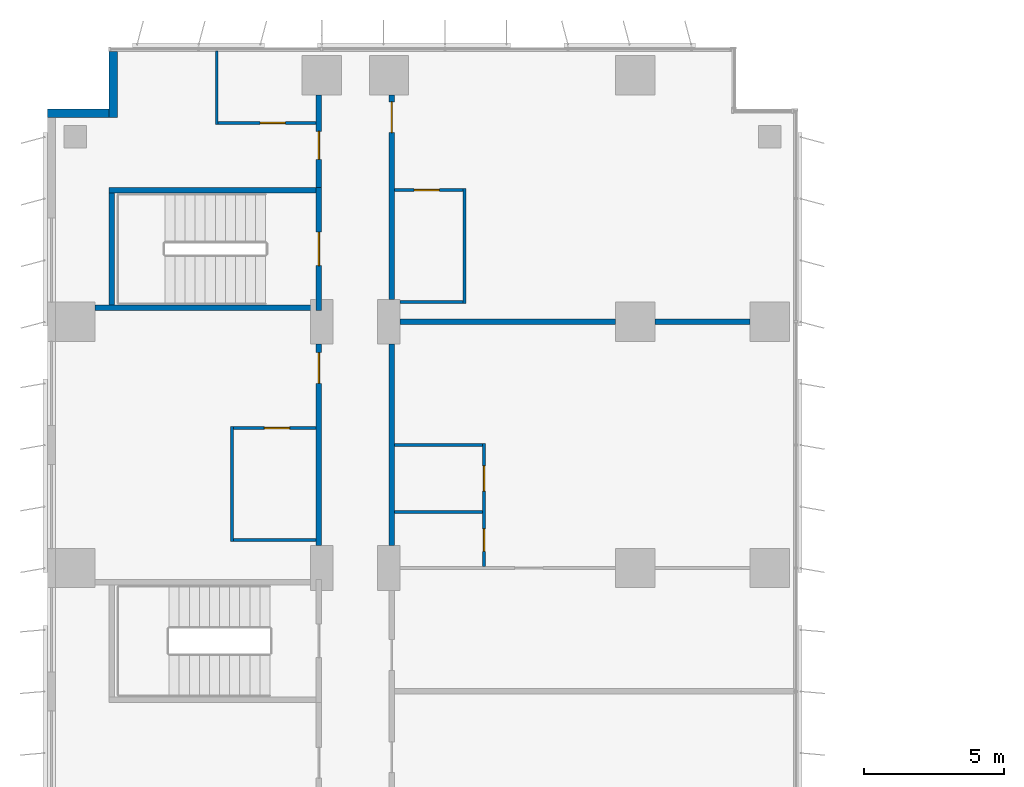
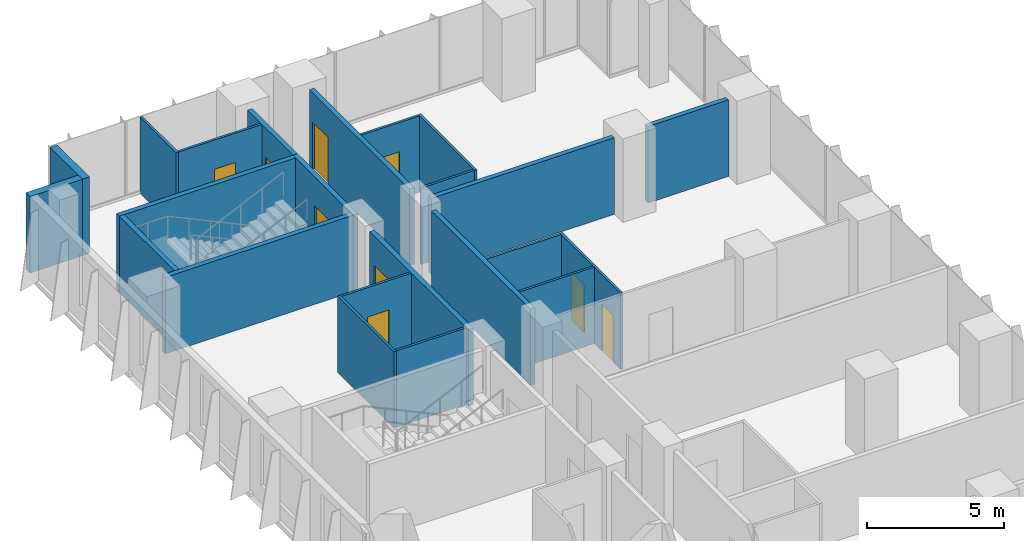
# One storey, part 19 of 24: 23 walls, 9 doors, 9 openings.
"""IFC4 building model written with IfcOpenShell, lengths in metres."""

from ifc_helpers import new_model, si_unit, direction, frame, frame_2d, origin, place, context, subcontext, project, spatial, rectangle, extrude, material, layer, layer_set, type_object, element, fill, save


model = new_model("IFC4")

# Units and contexts
model_context = context("Model", 3, precision=1e-05, world=origin(), true_north=direction((0.0, 1.0)))
body_context = subcontext(model_context, "Body", "Model", "MODEL_VIEW")
ifc_project = project(units=[si_unit("LENGTHUNIT", "METRE"), si_unit("AREAUNIT", "SQUARE_METRE"), si_unit("VOLUMEUNIT", "CUBIC_METRE"), si_unit("PLANEANGLEUNIT", "RADIAN"), si_unit("MASSUNIT", "GRAM", prefix="KILO")], contexts=[model_context])

# Site, building, storey
site_placement = place(None, origin())
site = spatial("IfcSite", under=ifc_project, at=site_placement, CompositionType="ELEMENT")
building_placement = place(site_placement, origin())
building = spatial("IfcBuilding", under=site, at=building_placement, Name="Kemantara Hotel Tower", CompositionType="ELEMENT")
storey_placement = place(building_placement, frame((0.0, 0.0, 41.39990234375)))
storey = spatial("IfcBuildingStorey", under=building, at=storey_placement, Name="L08", CompositionType="ELEMENT", Elevation=41.39990234375)

# Walls
ifc_material_1 = material(Name="Bronze anodised aluminium cladding on insulated steel stud wall", Category="steel")
ifc_layer_1 = layer(ifc_material_1, 0.300048828125)
ifc_layer_set_1 = layer_set([ifc_layer_1], Name="Bronze anodised aluminium cladding on insulated steel stud wall")
wall_type_1 = type_object("IfcWallType", Name="BRONZE METAL-CLAD EXTERNAL WALL 300", PredefinedType="STANDARD", material=ifc_layer_set_1)
wall_1_placement = place(storey_placement, frame((2.35009765625, 81.050048828125, 0.0), z_axis=(0.0, 0.0, 1.0), x_axis=(0.0, -1.0, 0.0)))
element("IfcWall", 1, at=wall_1_placement, inside=storey, type_object=wall_type_1, Name="EXTERNAL WALL L08 T1-R12", PredefinedType="STANDARD", context=body_context, shape_type="SweptSolid", body=[
    extrude(rectangle(XDim=2.35009765625, YDim=0.300048828125, at=frame_2d((1.175048828125, 0.0))), origin(), (0.0, 0.0, 1.0), 3.400146484375),
])
wall_2_placement = place(storey_placement, frame((2.199951171875, 78.85009765625, 0.0), z_axis=(0.0, 0.0, 1.0), x_axis=(-1.0, 0.0, 0.0)))
element("IfcWall", 2, at=wall_2_placement, inside=storey, type_object=wall_type_1, Name="EXTERNAL WALL L08 T1-R13", PredefinedType="STANDARD", context=body_context, shape_type="SweptSolid", body=[
    extrude(rectangle(XDim=2.199951171875, YDim=0.300048828125, at=frame_2d((1.10009765625, 0.0))), origin(), (0.0, 0.0, 1.0), 3.400146484375),
])

# Wall, opening, door
ifc_material_2 = material(Name="Gypsum board partition, steel studs and mineral wool, 200 mm", Category="steel")
ifc_layer_2 = layer(ifc_material_2, 0.199951171875)
ifc_layer_set_2 = layer_set([ifc_layer_2], Name="Gypsum board partition, steel studs and mineral wool, 200 mm")
wall_type_2 = type_object("IfcWallType", Name="CORRIDOR WALL 200", PredefinedType="PARTITIONING", material=ifc_layer_set_2)
wall_3_placement = place(storey_placement, frame((9.699951171875, 63.400146484375, 0.0), z_axis=(0.0, 0.0, 1.0), x_axis=(0.0, 1.0, 0.0)))
wall_3 = element("IfcWall", 3, at=wall_3_placement, inside=storey, type_object=wall_type_2, Name="CORRIDOR WALL 200 031", PredefinedType="PARTITIONING", context=body_context, shape_type="SweptSolid", body=[
    extrude(rectangle(XDim=7.19970703125, YDim=0.199951171875, at=frame_2d((3.599853515625, 0.0))), origin(), (0.0, 0.0, 1.0), 3.400146484375),
])
opening_1_placement = place(wall_3_placement, frame((5.7998046875, 0.0, 0.0)))
opening_1 = element("IfcOpeningElement", 4, at=opening_1_placement, cuts=wall_3, Name="Opening F02-041", PredefinedType="OPENING", context=body_context, shape_type="SweptSolid", body=[
    extrude(rectangle(XDim=1.10009765625, YDim=2.10009765625, at=frame_2d((0.550048828125, 1.050048828125))), frame((0.0, 0.10986328125, 0.0), z_axis=(0.0, -1.0, 0.0), x_axis=(1.0, 0.0, 0.0)), (0.0, 0.0, 1.0), 0.219970703125),
])
ifc_material_3 = material(Name="Hardwood veneer door leaf with steel frame", Category="steel")
door_type_1 = type_object("IfcDoorType", Name="SUITE ENTRANCE DOOR 1100 X 2100 FD30S", OperationType="NOTDEFINED", PredefinedType="DOOR", material=ifc_material_3)
door_1_placement = place(opening_1_placement, origin())
door_1 = element("IfcDoor", 5, at=door_1_placement, inside=storey, type_object=door_type_1, Name="SUITE ENTRANCE DOOR F02-041", OperationType="SINGLE_SWING_RIGHT", OverallHeight=2.10009765625, OverallWidth=1.10009765625, PredefinedType="DOOR", context=body_context, shape_type="SweptSolid", body=[
    extrude(rectangle(XDim=1.10009765625, YDim=2.10009765625, at=frame_2d((0.550048828125, 1.050048828125))), frame((0.0, 0.02490234375, 0.0), z_axis=(0.0, -1.0, 0.0), x_axis=(1.0, 0.0, 0.0)), (0.0, 0.0, 1.0), 0.050048828125),
])
fill(opening_1, door_1)

wall_4_placement = place(storey_placement, frame((9.699951171875, 76.199951171875, 0.0), z_axis=(0.0, 0.0, 1.0), x_axis=(0.0, 1.0, 0.0)))
wall_4 = element("IfcWall", 6, at=wall_4_placement, inside=storey, type_object=wall_type_2, Name="CORRIDOR WALL 200 032", PredefinedType="PARTITIONING", context=body_context, shape_type="SweptSolid", body=[
    extrude(rectangle(XDim=3.300048828125, YDim=0.199951171875, at=frame_2d((1.64990234375, 0.0))), origin(), (0.0, 0.0, 1.0), 3.400146484375),
])
opening_2_placement = place(wall_4_placement, frame((1.0, 0.0, 0.0)))
opening_2 = element("IfcOpeningElement", 7, at=opening_2_placement, cuts=wall_4, Name="Opening F02-043", PredefinedType="OPENING", context=body_context, shape_type="SweptSolid", body=[
    extrude(rectangle(XDim=1.0, YDim=2.10009765625, at=frame_2d((0.5, 1.050048828125))), frame((0.0, 0.10986328125, 0.0), z_axis=(0.0, -1.0, 0.0), x_axis=(1.0, 0.0, 0.0)), (0.0, 0.0, 1.0), 0.219970703125),
])
door_type_2 = type_object("IfcDoorType", Name="GUEST ROOM DOOR 1000 X 2100 FD30S", OperationType="NOTDEFINED", PredefinedType="DOOR", material=ifc_material_3)
door_2_placement = place(opening_2_placement, origin())
door_2 = element("IfcDoor", 8, at=door_2_placement, inside=storey, type_object=door_type_2, Name="GUEST ROOM DOOR F02-043", OperationType="SINGLE_SWING_LEFT", OverallHeight=2.10009765625, OverallWidth=1.0, PredefinedType="DOOR", context=body_context, shape_type="SweptSolid", body=[
    extrude(rectangle(XDim=1.0, YDim=2.10009765625, at=frame_2d((0.5, 1.050048828125))), frame((0.0, 0.02490234375, 0.0), z_axis=(0.0, -1.0, 0.0), x_axis=(1.0, 0.0, 0.0)), (0.0, 0.0, 1.0), 0.050048828125),
])
fill(opening_2, door_2)

# Wall
wall_5_placement = place(storey_placement, frame((12.300048828125, 63.400146484375, 0.0), z_axis=(0.0, 0.0, 1.0), x_axis=(0.0, 1.0, 0.0)))
element("IfcWall", 9, at=wall_5_placement, inside=storey, type_object=wall_type_2, Name="CORRIDOR WALL 200 048", PredefinedType="PARTITIONING", context=body_context, shape_type="SweptSolid", body=[
    extrude(rectangle(XDim=7.19970703125, YDim=0.199951171875, at=frame_2d((3.599853515625, 0.0))), origin(), (0.0, 0.0, 1.0), 3.400146484375),
])

# Wall, opening, door
wall_6_placement = place(storey_placement, frame((12.300048828125, 79.5, 0.0), z_axis=(0.0, 0.0, 1.0), x_axis=(0.0, -1.0, 0.0)))
wall_6 = element("IfcWall", 10, at=wall_6_placement, inside=storey, type_object=wall_type_2, Name="CORRIDOR WALL 200 049", PredefinedType="PARTITIONING", context=body_context, shape_type="SweptSolid", body=[
    extrude(rectangle(XDim=7.2998046875, YDim=0.199951171875, at=frame_2d((3.64990234375, 0.0))), origin(), (0.0, 0.0, 1.0), 3.400146484375),
])
opening_3_placement = place(wall_6_placement, frame((0.25, 0.0, 0.0)))
opening_3 = element("IfcOpeningElement", 11, at=opening_3_placement, cuts=wall_6, Name="Opening F02-059", PredefinedType="OPENING", context=body_context, shape_type="SweptSolid", body=[
    extrude(rectangle(XDim=1.10009765625, YDim=2.10009765625, at=frame_2d((0.550048828125, 1.050048828125))), frame((0.0, 0.10986328125, 0.0), z_axis=(0.0, -1.0, 0.0), x_axis=(1.0, 0.0, 0.0)), (0.0, 0.0, 1.0), 0.219970703125),
])
door_3_placement = place(opening_3_placement, origin())
door_3 = element("IfcDoor", 12, at=door_3_placement, inside=storey, type_object=door_type_1, Name="SUITE ENTRANCE DOOR F02-059", OperationType="SINGLE_SWING_LEFT", OverallHeight=2.10009765625, OverallWidth=1.10009765625, PredefinedType="DOOR", context=body_context, shape_type="SweptSolid", body=[
    extrude(rectangle(XDim=1.10009765625, YDim=2.10009765625, at=frame_2d((0.550048828125, 1.050048828125))), frame((0.0, 0.02490234375, 0.0), z_axis=(0.0, -1.0, 0.0), x_axis=(1.0, 0.0, 0.0)), (0.0, 0.0, 1.0), 0.050048828125),
])
fill(opening_3, door_3)

ifc_material_4 = material(Name="Concrete fc 40 MPa", Category="concrete")
ifc_layer_3 = layer(ifc_material_4, 0.199951171875)
ifc_layer_set_3 = layer_set([ifc_layer_3], Name="Concrete fc 40 MPa")
wall_type_3 = type_object("IfcWallType", Name="Concrete stair wall 200 mm", PredefinedType="SHEAR", material=ifc_layer_set_3)
wall_7_placement = place(storey_placement, frame((9.699951171875, 71.800048828125, 0.0), z_axis=(0.0, 0.0, 1.0), x_axis=(0.0, 1.0, 0.0)))
wall_7 = element("IfcWall", 13, at=wall_7_placement, inside=storey, type_object=wall_type_3, Name="Stair ST6 enclosure wall with door", PredefinedType="SHEAR", context=body_context, shape_type="SweptSolid", body=[
    extrude(rectangle(XDim=4.39990234375, YDim=0.199951171875, at=frame_2d((2.199951171875, 0.0))), origin(), (0.0, 0.0, 1.0), 3.400146484375),
])
opening_4_placement = place(wall_7_placement, frame((1.60009765625, 0.0, 0.0)))
opening_4 = element("IfcOpeningElement", 14, at=opening_4_placement, cuts=wall_7, Name="Opening ST6-C", PredefinedType="OPENING", context=body_context, shape_type="SweptSolid", body=[
    extrude(rectangle(XDim=1.199951171875, YDim=2.10009765625, at=frame_2d((0.60009765625, 1.050048828125))), frame((0.0, 0.10986328125, 0.0), z_axis=(0.0, -1.0, 0.0), x_axis=(1.0, 0.0, 0.0)), (0.0, 0.0, 1.0), 0.219970703125),
])
ifc_material_5 = material(Name="Steel fire door", Category="steel")
door_type_3 = type_object("IfcDoorType", Name="Fire door FD90 1200 x 2100", OperationType="NOTDEFINED", PredefinedType="DOOR", material=ifc_material_5)
door_4_placement = place(opening_4_placement, origin())
door_4 = element("IfcDoor", 15, at=door_4_placement, inside=storey, type_object=door_type_3, Name="Stair ST6 door", OperationType="SINGLE_SWING_RIGHT", OverallHeight=2.10009765625, OverallWidth=1.199951171875, PredefinedType="DOOR", context=body_context, shape_type="SweptSolid", body=[
    extrude(rectangle(XDim=1.199951171875, YDim=2.10009765625, at=frame_2d((0.60009765625, 1.050048828125))), frame((0.0, 0.02490234375, 0.0), z_axis=(0.0, -1.0, 0.0), x_axis=(1.0, 0.0, 0.0)), (0.0, 0.0, 1.0), 0.050048828125),
])
fill(opening_4, door_4)

# Walls
wall_8_placement = place(storey_placement, frame((2.199951171875, 76.10009765625, 0.0), z_axis=(0.0, 0.0, 1.0), x_axis=(1.0, 0.0, 0.0)))
element("IfcWall", 16, at=wall_8_placement, inside=storey, type_object=wall_type_3, Name="Stair ST6 enclosure wall N", PredefinedType="SHEAR", context=body_context, shape_type="SweptSolid", body=[
    extrude(rectangle(XDim=7.400146484375, YDim=0.199951171875, at=frame_2d((3.7001953125, 0.0))), origin(), (0.0, 0.0, 1.0), 3.400146484375),
])
wall_9_placement = place(storey_placement, frame((1.699951171875, 71.89990234375, 0.0), z_axis=(0.0, 0.0, 1.0), x_axis=(1.0, 0.0, 0.0)))
element("IfcWall", 17, at=wall_9_placement, inside=storey, type_object=wall_type_3, Name="Stair ST6 enclosure wall S", PredefinedType="SHEAR", context=body_context, shape_type="SweptSolid", body=[
    extrude(rectangle(XDim=7.900146484375, YDim=0.199951171875, at=frame_2d((3.9501953125, 0.0))), origin(), (0.0, 0.0, 1.0), 3.400146484375),
])
wall_10_placement = place(storey_placement, frame((2.300048828125, 72.0, 0.0), z_axis=(0.0, 0.0, 1.0), x_axis=(0.0, 1.0, 0.0)))
element("IfcWall", 18, at=wall_10_placement, inside=storey, type_object=wall_type_3, Name="Stair ST6 enclosure wall W", PredefinedType="SHEAR", context=body_context, shape_type="SweptSolid", body=[
    extrude(rectangle(XDim=4.0, YDim=0.199951171875, at=frame_2d((2.0, 0.0))), origin(), (0.0, 0.0, 1.0), 3.400146484375),
])
ifc_layer_4 = layer(ifc_material_2, 0.199951171875)
ifc_layer_set_4 = layer_set([ifc_layer_4], Name="Gypsum board partition, steel studs and mineral wool, 200 mm")
wall_type_4 = type_object("IfcWallType", Name="GUEST ROOM PARTY WALL 200", PredefinedType="PARTITIONING", material=ifc_layer_set_4)
wall_11_placement = place(storey_placement, frame((12.60009765625, 71.39990234375, 0.0), z_axis=(0.0, 0.0, 1.0), x_axis=(1.0, 0.0, 0.0)))
element("IfcWall", 19, at=wall_11_placement, inside=storey, type_object=wall_type_4, Name="GUEST ROOM PARTY WALL 200 054", PredefinedType="PARTITIONING", context=body_context, shape_type="SweptSolid", body=[
    extrude(rectangle(XDim=7.69970703125, YDim=0.199951171875, at=frame_2d((3.849853515625, 0.0))), origin(), (0.0, 0.0, 1.0), 3.400146484375),
])
wall_12_placement = place(storey_placement, frame((21.7001953125, 71.39990234375, 0.0), z_axis=(0.0, 0.0, 1.0), x_axis=(1.0, 0.0, 0.0)))
element("IfcWall", 20, at=wall_12_placement, inside=storey, type_object=wall_type_4, Name="GUEST ROOM PARTY WALL 200 055", PredefinedType="PARTITIONING", context=body_context, shape_type="SweptSolid", body=[
    extrude(rectangle(XDim=3.399658203125, YDim=0.199951171875, at=frame_2d((1.69970703125, 0.0))), origin(), (0.0, 0.0, 1.0), 3.400146484375),
])
ifc_material_6 = material(Name="Gypsum board partition on steel studs, 100 mm", Category="steel")
ifc_layer_5 = layer(ifc_material_6, 0.10009765625)
ifc_layer_set_5 = layer_set([ifc_layer_5], Name="Gypsum board partition on steel studs, 100 mm")
wall_type_5 = type_object("IfcWallType", Name="ROOM PARTITION 100", PredefinedType="PARTITIONING", material=ifc_layer_set_5)
wall_13_placement = place(storey_placement, frame((6.050048828125, 78.449951171875, 0.0), z_axis=(0.0, 0.0, 1.0), x_axis=(0.0, 1.0, 0.0)))
element("IfcWall", 21, at=wall_13_placement, inside=storey, type_object=wall_type_5, Name="ROOM PARTITION 100 087", PredefinedType="PARTITIONING", context=body_context, shape_type="SweptSolid", body=[
    extrude(rectangle(XDim=2.6201171875, YDim=0.10009765625, at=frame_2d((1.31005859375, 0.0))), origin(), (0.0, 0.0, 1.0), 3.400146484375),
])
wall_14_placement = place(storey_placement, frame((6.60009765625, 63.550048828125, 0.0), z_axis=(0.0, 0.0, 1.0), x_axis=(0.0, 1.0, 0.0)))
element("IfcWall", 22, at=wall_14_placement, inside=storey, type_object=wall_type_5, Name="ROOM PARTITION 100 095", PredefinedType="PARTITIONING", context=body_context, shape_type="SweptSolid", body=[
    extrude(rectangle(XDim=4.099853515625, YDim=0.10009765625, at=frame_2d((2.0498046875, 0.0))), origin(), (0.0, 0.0, 1.0), 3.400146484375),
])
wall_15_placement = place(storey_placement, frame((6.64990234375, 63.60009765625, 0.0), z_axis=(0.0, 0.0, 1.0), x_axis=(1.0, 0.0, 0.0)))
element("IfcWall", 23, at=wall_15_placement, inside=storey, type_object=wall_type_5, Name="ROOM PARTITION 100 106", PredefinedType="PARTITIONING", context=body_context, shape_type="SweptSolid", body=[
    extrude(rectangle(XDim=2.9501953125, YDim=0.10009765625, at=frame_2d((1.47509765625, 0.0))), origin(), (0.0, 0.0, 1.0), 3.400146484375),
])

# Wall, opening, door
wall_16_placement = place(storey_placement, frame((9.60009765625, 67.60009765625, 0.0), z_axis=(0.0, 0.0, 1.0), x_axis=(-1.0, 0.0, 0.0)))
wall_16 = element("IfcWall", 24, at=wall_16_placement, inside=storey, type_object=wall_type_5, Name="ROOM PARTITION 100 107", PredefinedType="PARTITIONING", context=body_context, shape_type="SweptSolid", body=[
    extrude(rectangle(XDim=2.9501953125, YDim=0.10009765625, at=frame_2d((1.47509765625, 0.0))), origin(), (0.0, 0.0, 1.0), 3.400146484375),
])
opening_5_placement = place(wall_16_placement, frame((0.949951171875, 0.0, 0.0)))
opening_5 = element("IfcOpeningElement", 25, at=opening_5_placement, cuts=wall_16, Name="Opening F02-042", PredefinedType="OPENING", context=body_context, shape_type="SweptSolid", body=[
    extrude(rectangle(XDim=0.89990234375, YDim=2.10009765625, at=frame_2d((0.449951171875, 1.050048828125))), frame((0.0, 0.06005859375, 0.0), z_axis=(0.0, -1.0, 0.0), x_axis=(1.0, 0.0, 0.0)), (0.0, 0.0, 1.0), 0.1201171875),
])
door_type_4 = type_object("IfcDoorType", Name="BATHROOM DOOR 900 X 2100", OperationType="NOTDEFINED", PredefinedType="DOOR", material=ifc_material_3)
door_5_placement = place(opening_5_placement, origin())
door_5 = element("IfcDoor", 26, at=door_5_placement, inside=storey, type_object=door_type_4, Name="BATHROOM DOOR F02-042", OperationType="SINGLE_SWING_LEFT", OverallHeight=2.10009765625, OverallWidth=0.89990234375, PredefinedType="DOOR", context=body_context, shape_type="SweptSolid", body=[
    extrude(rectangle(XDim=0.89990234375, YDim=2.10009765625, at=frame_2d((0.449951171875, 1.050048828125))), frame((0.0, 0.02490234375, 0.0), z_axis=(0.0, -1.0, 0.0), x_axis=(1.0, 0.0, 0.0)), (0.0, 0.0, 1.0), 0.050048828125),
])
fill(opening_5, door_5)

wall_17_placement = place(storey_placement, frame((6.10009765625, 78.5, 0.0), z_axis=(0.0, 0.0, 1.0), x_axis=(1.0, 0.0, 0.0)))
wall_17 = element("IfcWall", 27, at=wall_17_placement, inside=storey, type_object=wall_type_5, Name="ROOM PARTITION 100 108", PredefinedType="PARTITIONING", context=body_context, shape_type="SweptSolid", body=[
    extrude(rectangle(XDim=3.5, YDim=0.10009765625, at=frame_2d((1.75, 0.0))), origin(), (0.0, 0.0, 1.0), 3.400146484375),
])
opening_6_placement = place(wall_17_placement, frame((1.5, 0.0, 0.0)))
opening_6 = element("IfcOpeningElement", 28, at=opening_6_placement, cuts=wall_17, Name="Opening F02-044", PredefinedType="OPENING", context=body_context, shape_type="SweptSolid", body=[
    extrude(rectangle(XDim=0.89990234375, YDim=2.10009765625, at=frame_2d((0.449951171875, 1.050048828125))), frame((0.0, 0.06005859375, 0.0), z_axis=(0.0, -1.0, 0.0), x_axis=(1.0, 0.0, 0.0)), (0.0, 0.0, 1.0), 0.1201171875),
])
door_6_placement = place(opening_6_placement, origin())
door_6 = element("IfcDoor", 29, at=door_6_placement, inside=storey, type_object=door_type_4, Name="BATHROOM DOOR F02-044", OperationType="SINGLE_SWING_RIGHT", OverallHeight=2.10009765625, OverallWidth=0.89990234375, PredefinedType="DOOR", context=body_context, shape_type="SweptSolid", body=[
    extrude(rectangle(XDim=0.89990234375, YDim=2.10009765625, at=frame_2d((0.449951171875, 1.050048828125))), frame((0.0, 0.02490234375, 0.0), z_axis=(0.0, -1.0, 0.0), x_axis=(1.0, 0.0, 0.0)), (0.0, 0.0, 1.0), 0.050048828125),
])
fill(opening_6, door_6)

# Wall, openings, doors
wall_18_placement = place(storey_placement, frame((15.60009765625, 62.64990234375, 0.0), z_axis=(0.0, 0.0, 1.0), x_axis=(0.0, 1.0, 0.0)))
wall_18 = element("IfcWall", 30, at=wall_18_placement, inside=storey, type_object=wall_type_5, Name="ROOM PARTITION 100 113", PredefinedType="PARTITIONING", context=body_context, shape_type="SweptSolid", body=[
    extrude(rectangle(XDim=4.400146484375, YDim=0.10009765625, at=frame_2d((2.2001953125, 0.0))), origin(), (0.0, 0.0, 1.0), 3.400146484375),
])
opening_7_placement = place(wall_18_placement, frame((2.699951171875, 0.0, 0.0)))
opening_7 = element("IfcOpeningElement", 31, at=opening_7_placement, cuts=wall_18, Name="Opening F02-057", PredefinedType="OPENING", context=body_context, shape_type="SweptSolid", body=[
    extrude(rectangle(XDim=0.89990234375, YDim=2.10009765625, at=frame_2d((0.449951171875, 1.050048828125))), frame((0.0, 0.06005859375, 0.0), z_axis=(0.0, -1.0, 0.0), x_axis=(1.0, 0.0, 0.0)), (0.0, 0.0, 1.0), 0.1201171875),
])
opening_8_placement = place(wall_18_placement, frame((0.550048828125, 0.0, 0.0)))
opening_8 = element("IfcOpeningElement", 32, at=opening_8_placement, cuts=wall_18, Name="Opening F02-058", PredefinedType="OPENING", context=body_context, shape_type="SweptSolid", body=[
    extrude(rectangle(XDim=0.800048828125, YDim=2.10009765625, at=frame_2d((0.39990234375, 1.050048828125))), frame((0.0, 0.06005859375, 0.0), z_axis=(0.0, -1.0, 0.0), x_axis=(1.0, 0.0, 0.0)), (0.0, 0.0, 1.0), 0.1201171875),
])
door_7_placement = place(opening_7_placement, origin())
door_7 = element("IfcDoor", 33, at=door_7_placement, inside=storey, type_object=door_type_4, Name="BATHROOM DOOR F02-057", OperationType="SINGLE_SWING_LEFT", OverallHeight=2.10009765625, OverallWidth=0.89990234375, PredefinedType="DOOR", context=body_context, shape_type="SweptSolid", body=[
    extrude(rectangle(XDim=0.89990234375, YDim=2.10009765625, at=frame_2d((0.449951171875, 1.050048828125))), frame((0.0, 0.02490234375, 0.0), z_axis=(0.0, -1.0, 0.0), x_axis=(1.0, 0.0, 0.0)), (0.0, 0.0, 1.0), 0.050048828125),
])
fill(opening_7, door_7)
door_type_5 = type_object("IfcDoorType", Name="WARDROBE DOOR 800 X 2100", OperationType="NOTDEFINED", PredefinedType="DOOR", material=ifc_material_3)
door_8_placement = place(opening_8_placement, origin())
door_8 = element("IfcDoor", 34, at=door_8_placement, inside=storey, type_object=door_type_5, Name="WARDROBE DOOR F02-058", OperationType="SINGLE_SWING_LEFT", OverallHeight=2.10009765625, OverallWidth=0.800048828125, PredefinedType="DOOR", context=body_context, shape_type="SweptSolid", body=[
    extrude(rectangle(XDim=0.800048828125, YDim=2.10009765625, at=frame_2d((0.39990234375, 1.050048828125))), frame((0.0, 0.02490234375, 0.0), z_axis=(0.0, -1.0, 0.0), x_axis=(1.0, 0.0, 0.0)), (0.0, 0.0, 1.0), 0.050048828125),
])
fill(opening_8, door_8)

# Walls
for number, where, z_axis, x_axis, name in (
    (35, (12.39990234375, 67.0, 0.0), (0.0, 0.0, 1.0), (1.0, 0.0, 0.0), "ROOM PARTITION 100 122"),
    (36, (12.39990234375, 64.60009765625, 0.0), (0.0, 0.0, 1.0), (1.0, 0.0, 0.0), "ROOM PARTITION 100 123"),
):
    element("IfcWall", number, at=place(storey_placement, frame(where, z_axis=z_axis, x_axis=x_axis)), inside=storey, type_object=wall_type_5, Name=name, PredefinedType="PARTITIONING", context=body_context, shape_type="SweptSolid", body=[
        extrude(rectangle(XDim=3.150146484375, YDim=0.10009765625, at=frame_2d((1.5751953125, 0.0))), origin(), (0.0, 0.0, 1.0), 3.400146484375),
    ])
wall_19_placement = place(storey_placement, frame((14.89990234375, 72.050048828125, 0.0), z_axis=(0.0, 0.0, 1.0), x_axis=(0.0, 1.0, 0.0)))
element("IfcWall", 37, at=wall_19_placement, inside=storey, type_object=wall_type_5, Name="ROOM PARTITION 100 124", PredefinedType="PARTITIONING", context=body_context, shape_type="SweptSolid", body=[
    extrude(rectangle(XDim=4.099853515625, YDim=0.10009765625, at=frame_2d((2.0498046875, 0.0))), origin(), (0.0, 0.0, 1.0), 3.400146484375),
])
wall_20_placement = place(storey_placement, frame((12.60009765625, 72.10009765625, 0.0), z_axis=(0.0, 0.0, 1.0), x_axis=(1.0, 0.0, 0.0)))
element("IfcWall", 38, at=wall_20_placement, inside=storey, type_object=wall_type_5, Name="ROOM PARTITION 100 125", PredefinedType="PARTITIONING", context=body_context, shape_type="SweptSolid", body=[
    extrude(rectangle(XDim=2.25, YDim=0.10009765625, at=frame_2d((1.125, 0.0))), origin(), (0.0, 0.0, 1.0), 3.400146484375),
])

# Wall, opening, door
wall_21_placement = place(storey_placement, frame((14.85009765625, 76.10009765625, 0.0), z_axis=(0.0, 0.0, 1.0), x_axis=(-1.0, 0.0, 0.0)))
wall_21 = element("IfcWall", 39, at=wall_21_placement, inside=storey, type_object=wall_type_5, Name="ROOM PARTITION 100 126", PredefinedType="PARTITIONING", context=body_context, shape_type="SweptSolid", body=[
    extrude(rectangle(XDim=2.4501953125, YDim=0.10009765625, at=frame_2d((1.22509765625, 0.0))), origin(), (0.0, 0.0, 1.0), 3.400146484375),
])
opening_9_placement = place(wall_21_placement, frame((0.85009765625, 0.0, 0.0)))
opening_9 = element("IfcOpeningElement", 40, at=opening_9_placement, cuts=wall_21, Name="Opening F02-060", PredefinedType="OPENING", context=body_context, shape_type="SweptSolid", body=[
    extrude(rectangle(XDim=0.89990234375, YDim=2.10009765625, at=frame_2d((0.449951171875, 1.050048828125))), frame((0.0, 0.06005859375, 0.0), z_axis=(0.0, -1.0, 0.0), x_axis=(1.0, 0.0, 0.0)), (0.0, 0.0, 1.0), 0.1201171875),
])
door_9_placement = place(opening_9_placement, origin())
door_9 = element("IfcDoor", 41, at=door_9_placement, inside=storey, type_object=door_type_4, Name="BATHROOM DOOR F02-060", OperationType="SINGLE_SWING_RIGHT", OverallHeight=2.10009765625, OverallWidth=0.89990234375, PredefinedType="DOOR", context=body_context, shape_type="SweptSolid", body=[
    extrude(rectangle(XDim=0.89990234375, YDim=2.10009765625, at=frame_2d((0.449951171875, 1.050048828125))), frame((0.0, 0.02490234375, 0.0), z_axis=(0.0, -1.0, 0.0), x_axis=(1.0, 0.0, 0.0)), (0.0, 0.0, 1.0), 0.050048828125),
])
fill(opening_9, door_9)

save(model, "model.ifc")
